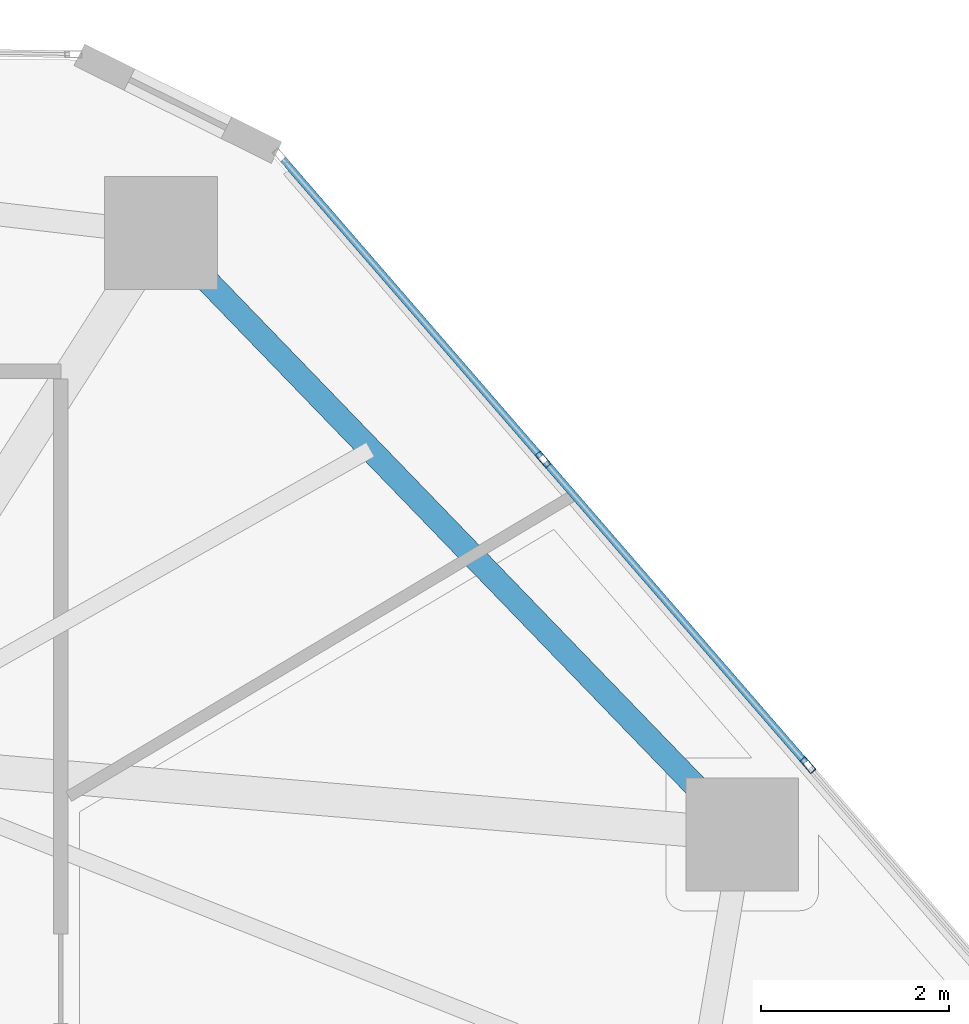
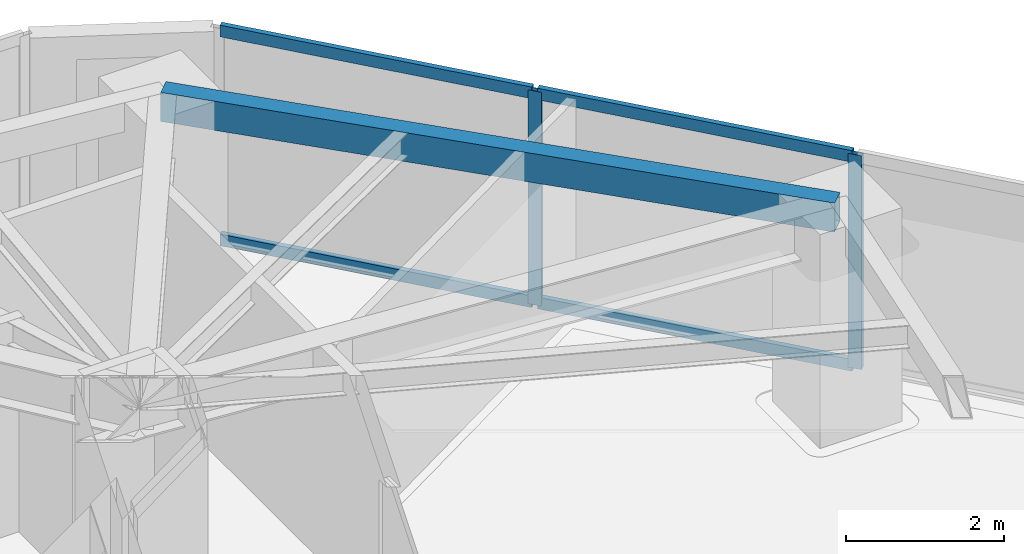
# One storey, part 15 of 22: 6 members, 1 beam, 1 element without a shape of its own.
"""IFC4 building model written with IfcOpenShell, lengths in metres."""

from ifc_helpers import new_model, si_unit, direction, frame, origin, origin_2d, place, context, subcontext, project, spatial, hollow_rectangle, extrude, source, transform, mapped, material, layer, layer_set, material_profile, profile_set, type_object, type_shapes, element, aggregate, save


model = new_model("IFC4")

# Units and contexts
model_context = context("Model", 3, precision=1e-05, world=origin(), true_north=direction((0.0, 1.0)))
body_context = subcontext(model_context, "Body", "Model", "MODEL_VIEW")
ifc_project = project(units=[si_unit("LENGTHUNIT", "METRE"), si_unit("AREAUNIT", "SQUARE_METRE"), si_unit("VOLUMEUNIT", "CUBIC_METRE"), si_unit("PLANEANGLEUNIT", "RADIAN"), si_unit("MASSUNIT", "GRAM", prefix="KILO")], contexts=[model_context])

# Site, building, storey
site_placement = place(None, origin())
site = spatial("IfcSite", under=ifc_project, at=site_placement, CompositionType="ELEMENT")
building_placement = place(site_placement, origin())
building = spatial("IfcBuilding", under=site, at=building_placement, Name="Talar Marvaseh", CompositionType="ELEMENT")
storey_placement = place(building_placement, frame((0.0, 0.0, 89.39990234375)))
storey = spatial("IfcBuildingStorey", under=building, at=storey_placement, Name="L22", CompositionType="ELEMENT", Elevation=89.39990234375)

# Beam
ifc_material_1 = material(Name="Steel S355", Category="steel")
ifc_material_profile_1 = material_profile(ifc_material_1, hollow_rectangle(XDim=0.25, YDim=0.449951171875, WallThickness=0.01611328125, at=origin_2d()), Name="RHS450x250x16")
ifc_profile_set_1 = profile_set([ifc_material_profile_1], Name="Steel S355")
beam_type = type_object("IfcBeamType", Name="Zone 2 Perimeter Spandrel Beam RHS450x250x16", PredefinedType="SPANDREL", material=ifc_profile_set_1)
beam_placement = place(storey_placement, frame((36.865966796875, 42.470947265625, 3.085205078125), z_axis=(0.694796856243, -0.719206040405, 0.0), x_axis=(0.719206040405, 0.694796856243, 0.0)))
element("IfcBeam", 1, at=beam_placement, inside=storey, type_object=beam_type, Name="L22 Zone 2 Perimeter Spandrel Beam RHS450x250x16", PredefinedType="SPANDREL", context=body_context, shape_type="SweptSolid", body=[
    extrude(hollow_rectangle(XDim=0.25, YDim=0.449951171875, WallThickness=0.01611328125, at=origin_2d()), origin(), (0.0, 0.0, 1.0), 8.891845703125),
])

# Curtain wall, members
ifc_material_2 = material(Name="Architectural Aluminium", Category="aluminium")
ifc_layer = layer(ifc_material_2, 0.199951171875)
ifc_layer_set = layer_set([ifc_layer], Name="Architectural Aluminium")
curtain_wall_type = type_object("IfcCurtainWallType", Name="Unitised Acoustic Library Curtain Wall Z2", PredefinedType="NOTDEFINED", material=ifc_layer_set)
curtain_wall_placement = place(storey_placement, origin())
curtain_wall = element("IfcCurtainWall", 2, at=curtain_wall_placement, inside=storey, type_object=curtain_wall_type, Name="L22 Unitised Acoustic Library Curtain Wall Z2", PredefinedType="NOTDEFINED")
ifc_material_profile_2 = material_profile(ifc_material_2, hollow_rectangle(XDim=0.074951171875, YDim=0.179931640625, WallThickness=0.0048828125, at=origin_2d()), Name="RHS180x75x5")
ifc_profile_set_2 = profile_set([ifc_material_profile_2], Name="Architectural Aluminium")
member_type_1 = type_object("IfcMemberType", Name="Unitised Curtain Wall Standard Mullion RHS180x75x5", PredefinedType="MULLION", material=ifc_profile_set_2)
shared_shape_1 = source(origin(), body_context, "Body", "SweptSolid", [
    extrude(hollow_rectangle(XDim=0.074951171875, YDim=0.179931640625, WallThickness=0.0048828125, at=origin_2d()), origin(), (0.0, 0.0, 1.0), 3.31005859375),
])
type_shapes(member_type_1, [shared_shape_1])
member_1_placement = place(storey_placement, frame((40.926513671875, 40.0625, 0.0), z_axis=(0.0, 0.0, 1.0), x_axis=(0.755810558041, 0.654790348396, 0.0)))
member_1 = element("IfcMember", 3, at=member_1_placement, type_object=member_type_1, Name="CW-Z2 mullion 2", PredefinedType="MULLION", context=body_context, shape_type="MappedRepresentation", body=[
    mapped(shared_shape_1, transform((0.0, 0.0, 0.0), x_axis=(1.0, 0.0, 0.0), y_axis=(0.0, 1.0, 0.0), z_axis=(0.0, 0.0, 1.0), scale=1.0)),
])
member_2_placement = place(storey_placement, frame((43.74072265625, 36.814208984375, 0.0), z_axis=(0.0, 0.0, 1.0), x_axis=(0.755810558041, 0.654790348396, 0.0)))
member_2 = element("IfcMember", 4, at=member_2_placement, type_object=member_type_1, Name="CW-Z2 mullion 3", PredefinedType="MULLION", context=body_context, shape_type="MappedRepresentation", body=[
    mapped(shared_shape_1, transform((0.0, 0.0, 0.0), x_axis=(1.0, 0.0, 0.0), y_axis=(0.0, 1.0, 0.0), z_axis=(0.0, 0.0, 1.0), scale=1.0)),
])
ifc_material_profile_3 = material_profile(ifc_material_2, hollow_rectangle(XDim=0.074951171875, YDim=0.179931640625, WallThickness=0.0048828125, at=origin_2d()), Name="RHS180x75x5")
ifc_profile_set_3 = profile_set([ifc_material_profile_3], Name="Architectural Aluminium")
member_type_2 = type_object("IfcMemberType", Name="Unitised Curtain Wall Transom RHS180x75x5", PredefinedType="USERDEFINED", material=ifc_profile_set_3)
shared_shape_2 = source(origin(), body_context, "Body", "SweptSolid", [
    extrude(hollow_rectangle(XDim=0.074951171875, YDim=0.179931640625, WallThickness=0.0048828125, at=origin_2d()), origin(), (0.0, 0.0, 1.0), 4.185302734375),
])
member_3_placement = place(storey_placement, frame((38.161376953125, 43.25439453125, 0.03759765625), z_axis=(0.654783954221, -0.755816097536, 0.0), x_axis=(0.755816097536, 0.654783954221, 0.0)))
member_3 = element("IfcMember", 5, at=member_3_placement, type_object=member_type_2, Name="CW-Z2 transom 1.1", ObjectType="TRANSOM", PredefinedType="USERDEFINED", context=body_context, shape_type="MappedRepresentation", body=[
    mapped(shared_shape_2, transform((0.0, 0.0, 0.0), x_axis=(1.0, 0.0, 0.0), y_axis=(0.0, 1.0, 0.0), z_axis=(0.0, 0.0, 1.0), scale=1.0)),
])
member_4_placement = place(storey_placement, frame((38.161376953125, 43.25439453125, 3.272705078125), z_axis=(0.654783954221, -0.755816097536, 0.0), x_axis=(0.755816097536, 0.654783954221, 0.0)))
member_4 = element("IfcMember", 6, at=member_4_placement, type_object=member_type_2, Name="CW-Z2 transom 1.2", ObjectType="TRANSOM", PredefinedType="USERDEFINED", context=body_context, shape_type="MappedRepresentation", body=[
    mapped(shared_shape_2, transform((0.0, 0.0, 0.0), x_axis=(1.0, 0.0, 0.0), y_axis=(0.0, 1.0, 0.0), z_axis=(0.0, 0.0, 1.0), scale=1.0)),
])
shared_shape_3 = source(origin(), body_context, "Body", "SweptSolid", [
    extrude(hollow_rectangle(XDim=0.074951171875, YDim=0.179931640625, WallThickness=0.0048828125, at=origin_2d()), origin(), (0.0, 0.0, 1.0), 4.222900390625),
])
type_shapes(member_type_2, [shared_shape_2, shared_shape_3])
member_5_placement = place(storey_placement, frame((40.951171875, 40.0341796875, 0.03759765625), z_axis=(0.65480066749, -0.755801618055, 0.0), x_axis=(0.755801618055, 0.65480066749, 0.0)))
member_5 = element("IfcMember", 7, at=member_5_placement, type_object=member_type_2, Name="CW-Z2 transom 2.1", ObjectType="TRANSOM", PredefinedType="USERDEFINED", context=body_context, shape_type="MappedRepresentation", body=[
    mapped(shared_shape_3, transform((0.0, 0.0, 0.0), x_axis=(1.0, 0.0, 0.0), y_axis=(0.0, 1.0, 0.0), z_axis=(0.0, 0.0, 1.0), scale=1.0)),
])
member_6_placement = place(storey_placement, frame((40.951171875, 40.0341796875, 3.272705078125), z_axis=(0.65480066749, -0.755801618055, 0.0), x_axis=(0.755801618055, 0.65480066749, 0.0)))
member_6 = element("IfcMember", 8, at=member_6_placement, type_object=member_type_2, Name="CW-Z2 transom 2.2", ObjectType="TRANSOM", PredefinedType="USERDEFINED", context=body_context, shape_type="MappedRepresentation", body=[
    mapped(shared_shape_3, transform((0.0, 0.0, 0.0), x_axis=(1.0, 0.0, 0.0), y_axis=(0.0, 1.0, 0.0), z_axis=(0.0, 0.0, 1.0), scale=1.0)),
])
aggregate(curtain_wall, [member_1, member_2, member_3, member_4, member_5, member_6])

save(model, "model.ifc")
